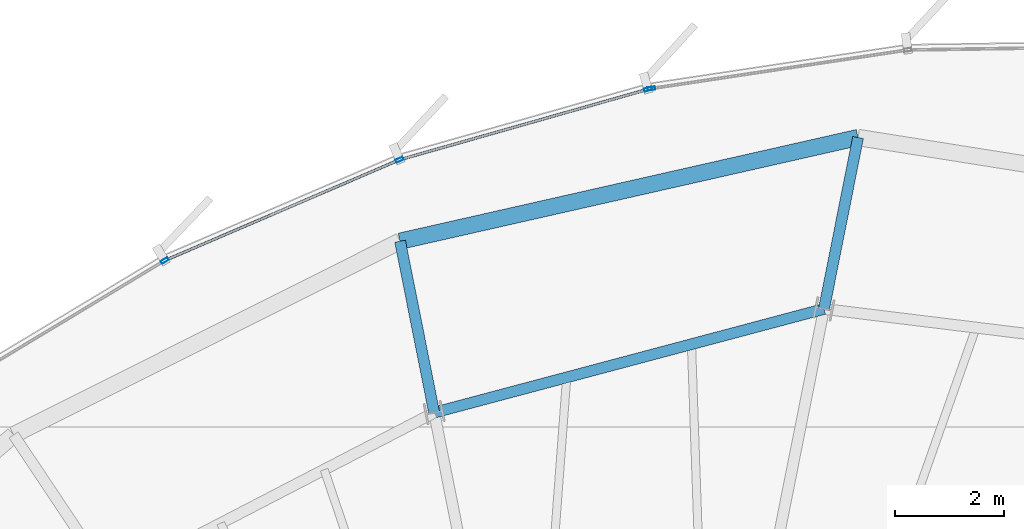
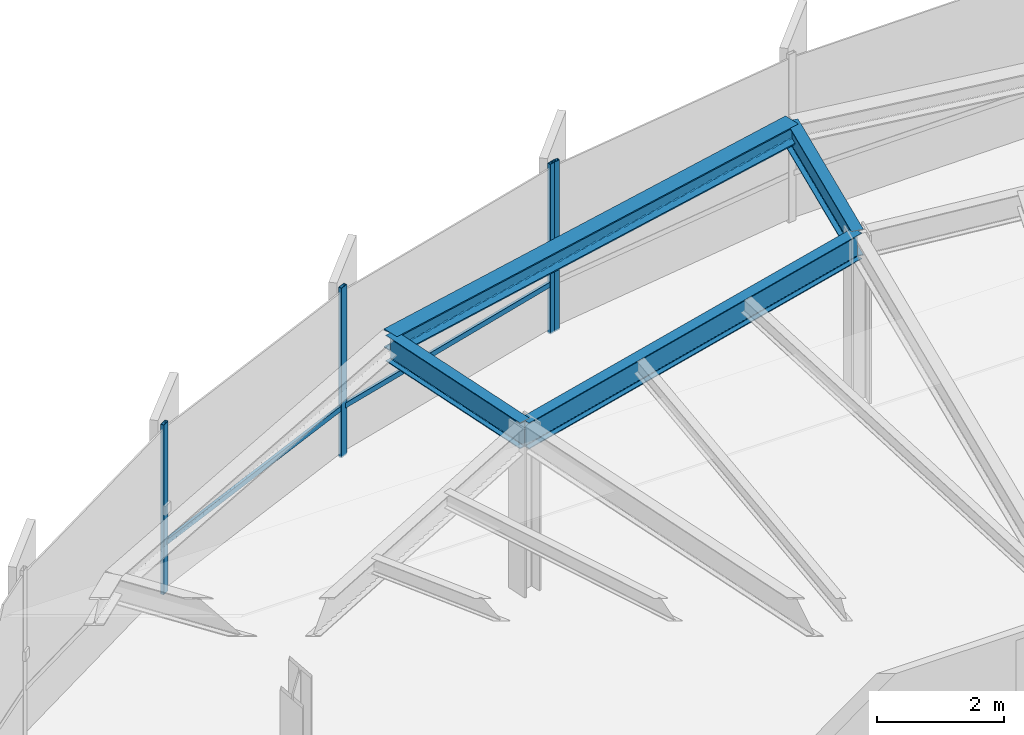
# One storey, part 23 of 36: 6 members, 4 beams, 2 elements without a shape of their own.
"""IFC4 building model written with IfcOpenShell, lengths in metres."""

from ifc_helpers import new_model, si_unit, direction, frame, origin, origin_2d, place, context, subcontext, project, spatial, hollow_rectangle, i_section, extrude, source, transform, mapped, material, layer, layer_set, material_profile, profile_set, type_object, element, aggregate, save


model = new_model("IFC4")

# Units and contexts
model_context = context("Model", 3, precision=1e-05, world=origin(), true_north=direction((0.0, 1.0)))
body_context = subcontext(model_context, "Body", "Model", "MODEL_VIEW")
ifc_project = project(units=[si_unit("LENGTHUNIT", "METRE"), si_unit("AREAUNIT", "SQUARE_METRE"), si_unit("VOLUMEUNIT", "CUBIC_METRE"), si_unit("PLANEANGLEUNIT", "RADIAN"), si_unit("MASSUNIT", "GRAM", prefix="KILO"), si_unit("THERMODYNAMICTEMPERATUREUNIT", "KELVIN")], contexts=[model_context])

# Site, building, storey
site_placement = place(None, origin())
site = spatial("IfcSite", under=ifc_project, at=site_placement, CompositionType="ELEMENT")
building_placement = place(site_placement, origin())
building = spatial("IfcBuilding", under=site, at=building_placement, Name="Kethvar Cultural Tower", CompositionType="ELEMENT")
storey_placement = place(building_placement, frame((0.0, 0.0, 176.39990234375)))
storey = spatial("IfcBuildingStorey", under=building, at=storey_placement, Name="L45", CompositionType="ELEMENT", Elevation=176.39990234375)

# Beams
ifc_material_1 = material(Name="Steel S355J2", Category="steel")
ifc_material_profile_1 = material_profile(ifc_material_1, i_section(OverallWidth=0.199951171875, OverallDepth=0.5, WebThickness=0.01025390625, FlangeThickness=0.01611328125, FilletRadius=0.02099609375, at=origin_2d()), Name="Steel S355J2 — IPE500")
ifc_profile_set_1 = profile_set([ifc_material_profile_1], Name="Steel S355J2 — IPE500")
beam_type_1 = type_object("IfcBeamType", Name="BM-IPE500", PredefinedType="BEAM", material=ifc_profile_set_1)
shared_shape_1 = source(origin(), body_context, "Body", "SweptSolid", [
    extrude(i_section(OverallWidth=0.199951171875, OverallDepth=0.5, WebThickness=0.01025390625, FlangeThickness=0.01611328125, FilletRadius=0.02099609375, at=origin_2d()), origin(), (0.0, 0.0, 1.0), 3.199951171875),
])
for number, where, z_axis, x_axis, name in (
    (1, (50.556884765625, 46.6875, 3.008056640625), (0.195088965533, 0.980785550224, 0.0), (-0.980785550224, 0.195088965533, 0.0), "L45 Perimeter Cantilever Beam RC-04"),
    (2, (43.420654296875, 44.789306640625, 3.008056640625), (-0.195088965533, 0.980785550224, 0.0), (-0.980785550224, -0.195088965533, 0.0), "L45 Perimeter Cantilever Beam RC-05"),
):
    element("IfcBeam", number, at=place(storey_placement, frame(where, z_axis=z_axis, x_axis=x_axis)), inside=storey, type_object=beam_type_1, Name=name, PredefinedType="BEAM", context=body_context, shape_type="MappedRepresentation", body=[
        mapped(shared_shape_1, transform((0.0, 0.0, 0.0), scale=1.0)),
    ])
shared_shape_2 = source(origin(), body_context, "Body", "SweptSolid", [
    extrude(i_section(OverallWidth=0.199951171875, OverallDepth=0.5, WebThickness=0.01025390625, FlangeThickness=0.01611328125, FilletRadius=0.02099609375, at=origin_2d()), origin(), (0.0, 0.0, 1.0), 7.38427734375),
])
beam_1_placement = place(storey_placement, frame((50.556884765625, 46.6875, 3.008056640625), z_axis=(-0.966396628298, -0.257055552002, 0.0), x_axis=(0.257055552002, -0.966396628298, 0.0)))
element("IfcBeam", 3, at=beam_1_placement, inside=storey, type_object=beam_type_1, Name="L45 Column Ring Tie Beam CR-04", PredefinedType="BEAM", context=body_context, shape_type="MappedRepresentation", body=[
    mapped(shared_shape_2, transform((0.0, 0.0, 0.0), scale=1.0)),
])
ifc_material_profile_2 = material_profile(ifc_material_1, i_section(OverallWidth=0.300048828125, OverallDepth=0.360107421875, WebThickness=0.012451171875, FlangeThickness=0.0224609375, FilletRadius=0.027099609375, at=origin_2d()), Name="Steel S355J2 — HEB360")
ifc_profile_set_2 = profile_set([ifc_material_profile_2], Name="Steel S355J2 — HEB360")
beam_type_2 = type_object("IfcBeamType", Name="BM-SP360", PredefinedType="SPANDREL", material=ifc_profile_set_2)
shared_shape_3 = source(origin(), body_context, "Body", "SweptSolid", [
    extrude(i_section(OverallWidth=0.300048828125, OverallDepth=0.360107421875, WebThickness=0.012451171875, FlangeThickness=0.0224609375, FilletRadius=0.027099609375, at=origin_2d()), origin(), (0.0, 0.0, 1.0), 8.596923828125),
])
beam_2_placement = place(storey_placement, frame((51.18115234375, 49.825927734375, 3.078125), z_axis=(-0.975319414912, -0.2207986388, 0.0), x_axis=(0.2207986388, -0.975319414912, 0.0)))
element("IfcBeam", 4, at=beam_2_placement, inside=storey, type_object=beam_type_2, Name="L45 Perimeter Spandrel Beam SP-04", PredefinedType="SPANDREL", context=body_context, shape_type="MappedRepresentation", body=[
    mapped(shared_shape_3, transform((0.0, 0.0, 0.0), scale=1.0)),
])

# Curtain wall, member
ifc_material_2 = material(Name="Aluminium 6063-T6", Category="aluminium")
ifc_layer = layer(ifc_material_2, 0.179931640625, Name="Aluminium 6063-T6", Category="aluminium")
ifc_layer_set = layer_set([ifc_layer], Name="Aluminium 6063-T6 (180 mm)")
curtain_wall_type = type_object("IfcCurtainWallType", Name="CW-SYS-04-Z34", PredefinedType="NOTDEFINED", material=ifc_layer_set)
curtain_wall_1_placement = place(storey_placement, origin())
curtain_wall_1 = element("IfcCurtainWall", 5, at=curtain_wall_1_placement, inside=storey, type_object=curtain_wall_type, Name="L45 Curtain Wall Run 01", PredefinedType="NOTDEFINED")
ifc_material_profile_3 = material_profile(ifc_material_2, hollow_rectangle(XDim=0.06005859375, YDim=0.139892578125, WallThickness=0.0048828125, at=origin_2d()), Name="Aluminium 6063-T6 — RHS140x60x5")
ifc_profile_set_3 = profile_set([ifc_material_profile_3], Name="Aluminium 6063-T6 — RHS140x60x5")
member_type_1 = type_object("IfcMemberType", Name="CW-SYS-04-Z34-MUL", PredefinedType="MULLION", material=ifc_profile_set_3)
shared_shape_4 = source(origin(), body_context, "Body", "SweptSolid", [
    extrude(hollow_rectangle(XDim=0.06005859375, YDim=0.139892578125, WallThickness=0.0048828125, at=origin_2d()), origin(), (0.0, 0.0, 1.0), 3.260009765625),
])
member_1_placement = place(storey_placement, frame((47.397705078125, 50.72314453125, 0.0), z_axis=(0.0, 0.0, 1.0), x_axis=(0.14882776599, -0.988863133133, 0.0)))
member_1 = element("IfcMember", 6, at=member_1_placement, type_object=member_type_1, Name="CW-L45-R01 Mullion 7", PredefinedType="MULLION", context=body_context, shape_type="MappedRepresentation", body=[
    mapped(shared_shape_4, transform((0.0, 0.0, 0.0), scale=1.0)),
])
aggregate(curtain_wall_1, [member_1])

# Curtain wall, members
curtain_wall_2_placement = place(storey_placement, origin())
curtain_wall_2 = element("IfcCurtainWall", 7, at=curtain_wall_2_placement, inside=storey, type_object=curtain_wall_type, Name="L45 Curtain Wall Run 02", PredefinedType="NOTDEFINED")
member_2_placement = place(storey_placement, frame((47.33544921875, 50.709716796875, 0.0), z_axis=(0.0, 0.0, 1.0), x_axis=(0.273119836863, -0.961980017834, 0.0)))
member_2 = element("IfcMember", 8, at=member_2_placement, type_object=member_type_1, Name="CW-L45-R02 Mullion 1", PredefinedType="MULLION", context=body_context, shape_type="MappedRepresentation", body=[
    mapped(shared_shape_4, transform((0.0, 0.0, 0.0), scale=1.0)),
])
member_3_placement = place(storey_placement, frame((42.7880859375, 49.41943359375, 0.0), z_axis=(0.0, 0.0, 1.0), x_axis=(0.394551416547, -0.918873864957, 0.0)))
member_3 = element("IfcMember", 9, at=member_3_placement, type_object=member_type_1, Name="CW-L45-R02 Mullion 2", PredefinedType="MULLION", context=body_context, shape_type="MappedRepresentation", body=[
    mapped(shared_shape_4, transform((0.0, 0.0, 0.0), scale=1.0)),
])
member_4_placement = place(storey_placement, frame((38.487060546875, 47.57373046875, 0.0), z_axis=(0.0, 0.0, 1.0), x_axis=(0.515606456476, -0.85682552602, 0.0)))
member_4 = element("IfcMember", 10, at=member_4_placement, type_object=member_type_1, Name="CW-L45-R02 Mullion 3", PredefinedType="MULLION", context=body_context, shape_type="MappedRepresentation", body=[
    mapped(shared_shape_4, transform((0.0, 0.0, 0.0), scale=1.0)),
])
ifc_material_profile_4 = material_profile(ifc_material_2, hollow_rectangle(XDim=0.050048828125, YDim=0.10009765625, WallThickness=0.00390625, at=origin_2d()), Name="Aluminium 6063-T6 — RHS100x50x4")
ifc_profile_set_4 = profile_set([ifc_material_profile_4], Name="Aluminium 6063-T6 — RHS100x50x4")
member_type_2 = type_object("IfcMemberType", Name="CW-SYS-04-Z34-TRN", PredefinedType="USERDEFINED", material=ifc_profile_set_4)
shared_shape_5 = source(origin(), body_context, "Body", "SweptSolid", [
    extrude(hollow_rectangle(XDim=0.050048828125, YDim=0.10009765625, WallThickness=0.00390625, at=origin_2d()), origin(), (0.0, 0.0, 1.0), 4.693359375),
])
member_5_placement = place(storey_placement, frame((47.331298828125, 50.70849609375, 0.9501953125), z_axis=(-0.961972176052, -0.273147455602, 0.0), x_axis=(0.273147455602, -0.961972176052, 0.0)))
member_5 = element("IfcMember", 11, at=member_5_placement, type_object=member_type_2, Name="CW-L45-R02 Transom 1", ObjectType="TRANSOM", PredefinedType="USERDEFINED", context=body_context, shape_type="MappedRepresentation", body=[
    mapped(shared_shape_5, transform((0.0, 0.0, 0.0), scale=1.0)),
])
shared_shape_6 = source(origin(), body_context, "Body", "SweptSolid", [
    extrude(hollow_rectangle(XDim=0.050048828125, YDim=0.10009765625, WallThickness=0.00390625, at=origin_2d()), origin(), (0.0, 0.0, 1.0), 4.60888671875),
])
member_6_placement = place(storey_placement, frame((42.748291015625, 49.402587890625, 0.9501953125), z_axis=(-0.91885709063, -0.394590480117, 0.0), x_axis=(0.394590480117, -0.91885709063, 0.0)))
member_6 = element("IfcMember", 12, at=member_6_placement, type_object=member_type_2, Name="CW-L45-R02 Transom 2", ObjectType="TRANSOM", PredefinedType="USERDEFINED", context=body_context, shape_type="MappedRepresentation", body=[
    mapped(shared_shape_6, transform((0.0, 0.0, 0.0), scale=1.0)),
])
aggregate(curtain_wall_2, [member_2, member_3, member_4, member_5, member_6])

save(model, "model.ifc")
